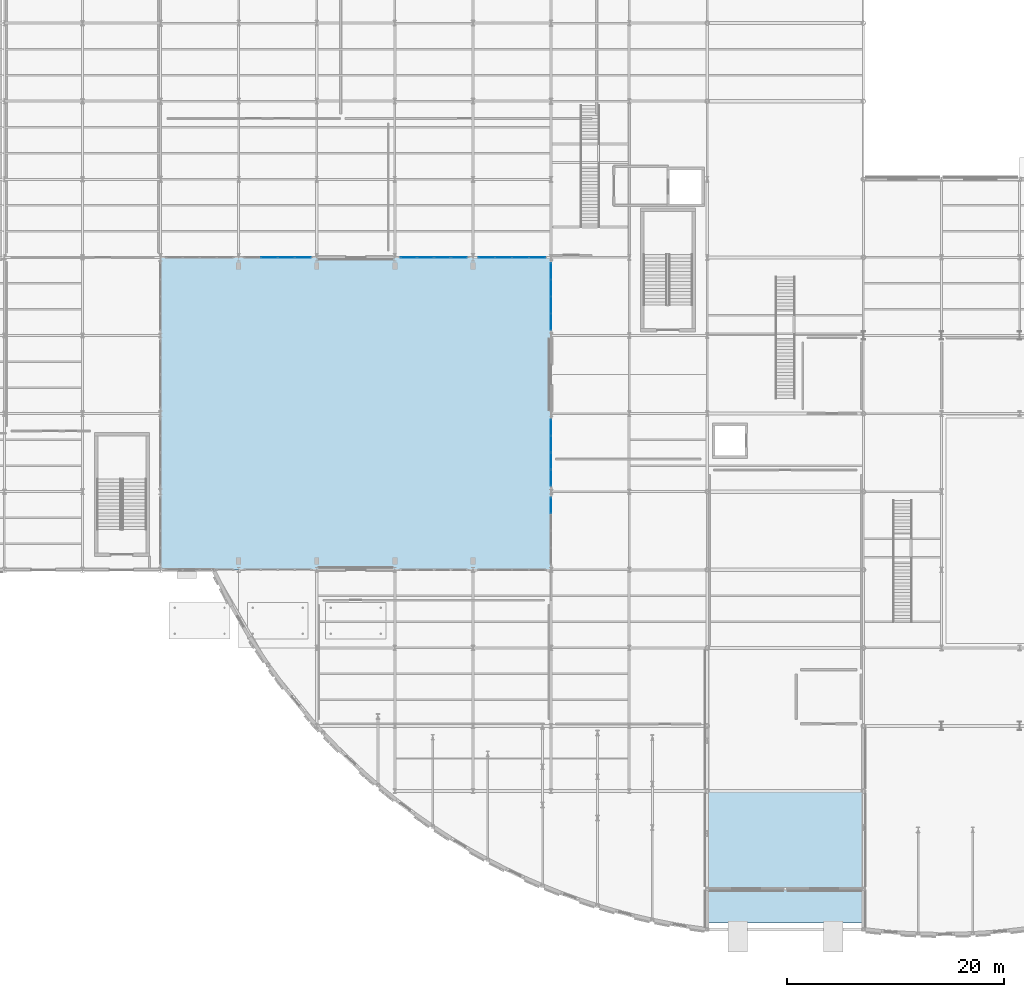
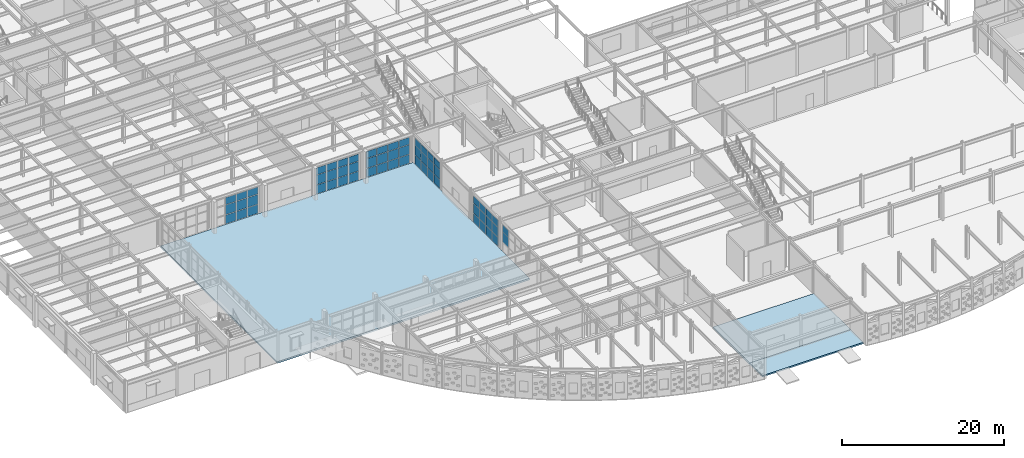
# One storey, part 51 of 83: 59 plates, 3 slabs, 6 elements without a shape of their own.
"""IFC4 building model written with IfcOpenShell, lengths in metres."""

import ifcopenshell
import ifcopenshell.guid

model = None  # the IFC model being written
_history = None  # IfcOwnerHistory: only IFC2X3 demands one
_inside = {}  # id of a spatial element -> (the spatial element, [elements in it])
_under = {}  # id of a project, library or spatial element -> (it, [spatial elements below it])
_declared = {}  # id of a project -> (the project, [libraries it declares])
_typed = {}  # id of a type object -> (the type object, [elements of that type])
_made_of = {}  # id of a material, layer set ... -> (it, [elements and type objects made of it])


def new_model(schema):
    """Start an empty IFC model of exactly this schema.

    Asked for "IFC4X3", IfcOpenShell would pick the latest addendum, in which some entities
    have other attributes; the version numbers below select the first issue.
    IFC2X3 requires an IfcOwnerHistory on every rooted entity: one is made here for all.
    """
    global model, _history
    if schema == "IFC4X3":
        model = ifcopenshell.file(schema_version=(4, 3, 0, 0))
    else:
        model = ifcopenshell.file(schema=schema)
    _inside.clear()
    _under.clear()
    _declared.clear()
    _typed.clear()
    _made_of.clear()
    _history = None
    if model.schema == "IFC2X3":
        org = make("IfcOrganization", Name="unknown")
        user = make(
            "IfcPersonAndOrganization",
            ThePerson=make("IfcPerson", FamilyName="unknown"),
            TheOrganization=org,
        )
        app = make(
            "IfcApplication",
            ApplicationDeveloper=org,
            Version="unknown",
            ApplicationFullName="unknown",
            ApplicationIdentifier="unknown",
        )
        _history = make(
            "IfcOwnerHistory",
            OwningUser=user,
            OwningApplication=app,
            ChangeAction="ADDED",
            CreationDate=0,
        )
    return model


def make(cls, **values):
    """One entity of the class cls with the attributes given. An attribute that is None is left unset."""
    return model.create_entity(
        cls, **{name: value for name, value in values.items() if value is not None}
    )


def rooted(cls, **values):
    """An entity with a GlobalId (a new one), such as an element, a storey or a relation."""
    return make(cls, GlobalId=ifcopenshell.guid.new(), OwnerHistory=_history, **values)


def si_unit(unit_type, name, prefix=None):
    """IfcSIUnit, for example si_unit("LENGTHUNIT", "METRE", prefix="MILLI")."""
    return make("IfcSIUnit", UnitType=unit_type, Prefix=prefix, Name=name)


def assignment(units):
    """IfcUnitAssignment: the units of a project."""
    return None if units is None else make("IfcUnitAssignment", Units=units)


def point(xyz):
    """IfcCartesianPoint."""
    return None if xyz is None else make("IfcCartesianPoint", Coordinates=xyz)


def direction(xyz):
    """IfcDirection."""
    return None if xyz is None else make("IfcDirection", DirectionRatios=xyz)


def frame(location, z_axis=None, x_axis=None):
    """IfcAxis2Placement3D, a coordinate frame: its origin and axes. An axis left out is left unset."""
    return make(
        "IfcAxis2Placement3D",
        Location=point(location),
        Axis=direction(z_axis),
        RefDirection=direction(x_axis),
    )


def frame_2d(location, x_axis=None):
    """IfcAxis2Placement2D, a coordinate frame in the plane: its origin and x axis."""
    return make(
        "IfcAxis2Placement2D", Location=point(location), RefDirection=direction(x_axis)
    )


def origin():
    """The frame at (0, 0, 0) with its axes left unset."""
    return frame((0.0, 0.0, 0.0))


def origin_2d():
    """The frame at (0, 0) in the plane with its x axis left unset."""
    return frame_2d((0.0, 0.0))


def place(relative_to, where):
    """IfcLocalPlacement: puts the frame where relative to a parent placement (None: the world)."""
    return make(
        "IfcLocalPlacement", PlacementRelTo=relative_to, RelativePlacement=where
    )


def context(
    kind, dimensions, precision=None, world=None, true_north=None, identifier=None
):
    """IfcGeometricRepresentationContext, for example the 3D "Model" context."""
    return make(
        "IfcGeometricRepresentationContext",
        ContextIdentifier=identifier,
        ContextType=kind,
        CoordinateSpaceDimension=dimensions,
        Precision=precision,
        WorldCoordinateSystem=world,
        TrueNorth=true_north,
    )


def subcontext(parent, identifier, kind, view, scale=None):
    """IfcGeometricRepresentationSubContext, for example "Body" below "Model"."""
    return make(
        "IfcGeometricRepresentationSubContext",
        ContextIdentifier=identifier,
        ContextType=kind,
        ParentContext=parent,
        TargetScale=scale,
        TargetView=view,
    )


def project(units=None, contexts=None):
    """IfcProject with its units and contexts."""
    return rooted(
        "IfcProject",
        Name="project",
        RepresentationContexts=contexts,
        UnitsInContext=assignment(units),
    )


def spatial(cls, under=None, at=None, **own):
    """A site, building, storey or space (cls), placed at a placement, below another one or the project."""
    s = rooted(cls, ObjectPlacement=at, **own)
    if under is not None:
        _under.setdefault(under.id(), (under, []))[1].append(s)
    return s


def polyline(points):
    """IfcPolyline through the points."""
    return make("IfcPolyline", Points=[point(p) for p in points])


def profile(cls, at=None, kind="AREA", **sizes):
    """A parametric profile (cls). Its sizes go by their IFC names, for example OverallWidth=200.0."""
    return make(cls, ProfileType=kind, Position=at, **sizes)


def rectangle(**sizes):
    """IfcRectangleProfileDef."""
    return profile("IfcRectangleProfileDef", **sizes)


def outline(outer, holes=None, kind="AREA"):
    """IfcArbitraryClosedProfileDef: a profile drawn as a closed curve; with holes, ...WithVoids."""
    if holes is None:
        return make("IfcArbitraryClosedProfileDef", ProfileType=kind, OuterCurve=outer)
    return make(
        "IfcArbitraryProfileDefWithVoids",
        ProfileType=kind,
        OuterCurve=outer,
        InnerCurves=holes,
    )


def extrude(swept, where, along, depth):
    """IfcExtrudedAreaSolid: the profile swept, set in the frame where, extruded along a direction by depth."""
    return make(
        "IfcExtrudedAreaSolid",
        SweptArea=swept,
        Position=where,
        ExtrudedDirection=direction(along),
        Depth=depth,
    )


def shape(context_of_items, identifier, shape_type, items):
    """IfcShapeRepresentation: the items that make up one representation, for example the "Body"."""
    return make(
        "IfcShapeRepresentation",
        ContextOfItems=context_of_items,
        RepresentationIdentifier=identifier,
        RepresentationType=shape_type,
        Items=items,
    )


def material(Name=None, Category=None):
    """IfcMaterial."""
    return make("IfcMaterial", Name=Name, Category=Category)


def layer(
    of_material, thickness, ventilated=None, Name=None, Category=None, Priority=None
):
    """IfcMaterialLayer: one layer of a wall or slab, of a material (None: an air gap)."""
    return make(
        "IfcMaterialLayer",
        Material=of_material,
        LayerThickness=thickness,
        IsVentilated=ventilated,
        Name=Name,
        Category=Category,
        Priority=Priority,
    )


def layer_set(layers, Name=None):
    """IfcMaterialLayerSet."""
    return make("IfcMaterialLayerSet", MaterialLayers=layers, LayerSetName=Name)


def made_of(thing, what):
    """Note that an element or type object is made of a material, layer set ...; save() writes the relation."""
    if what is not None:
        _made_of.setdefault(what.id(), (what, []))[1].append(thing)
    return thing


def type_object(cls, material=None, **own):
    """A type object (cls), such as IfcWallType, which elements share."""
    return made_of(rooted(cls, **own), material)


def element(
    cls,
    number,
    at=None,
    inside=None,
    cuts=None,
    type_object=None,
    material=None,
    context=None,
    identifier="Body",
    shape_type=None,
    held_by="IfcProductDefinitionShape",
    body=None,
    shapes=None,
    **own,
):
    """One element of the class cls, such as IfcWall. Its Tag is "e" and its number.

    at: its placement. inside: the storey or other place that contains it. cuts: it is an
    opening in that element (IfcRelVoidsElement). A single representation is given by context,
    identifier, shape_type and body (its items); several are given by shapes. held_by: the class
    of the entity that holds the representations. save() writes the other relations.
    """
    e = rooted(cls, Tag="e%d" % number, ObjectPlacement=at, **own)
    if body is not None:
        shapes = [shape(context, identifier, shape_type, body)]
    if shapes is not None:
        e.Representation = make(held_by, Representations=shapes)
    if inside is not None:
        _inside.setdefault(inside.id(), (inside, []))[1].append(e)
    if cuts is not None:
        rooted(
            "IfcRelVoidsElement", RelatingBuildingElement=cuts, RelatedOpeningElement=e
        )
    if type_object is not None:
        _typed.setdefault(type_object.id(), (type_object, []))[1].append(e)
    return made_of(e, material)


def aggregate(whole, parts):
    """IfcRelAggregates: a whole, such as a stair, and the parts it consists of."""
    return rooted("IfcRelAggregates", RelatingObject=whole, RelatedObjects=parts)


def save(model, path):
    """Write the relations noted so far, then the file.

    IfcRelAggregates (storeys below a building ...), IfcRelContainedInSpatialStructure (elements
    in a storey), IfcRelDefinesByType, IfcRelAssociatesMaterial and IfcRelDeclares: one each for
    every whole, place, type object, material and project.
    """
    for whole, parts in _under.values():
        aggregate(whole, parts)
    for where, things in _inside.values():
        rooted(
            "IfcRelContainedInSpatialStructure",
            RelatedElements=things,
            RelatingStructure=where,
        )
    for kind, things in _typed.values():
        rooted("IfcRelDefinesByType", RelatedObjects=things, RelatingType=kind)
    for what, things in _made_of.values():
        rooted("IfcRelAssociatesMaterial", RelatedObjects=things, RelatingMaterial=what)
    for by, libraries in _declared.values():
        rooted("IfcRelDeclares", RelatingContext=by, RelatedDefinitions=libraries)
    model.write(path)


model = new_model("IFC4")

# Units and contexts
model_context = context("Model", 3, precision=1e-05, world=origin(), true_north=direction((0.0, 1.0)))
body_context = subcontext(model_context, "Body", "Model", "MODEL_VIEW")
ifc_project = project(units=[si_unit("LENGTHUNIT", "METRE"), si_unit("AREAUNIT", "SQUARE_METRE"), si_unit("VOLUMEUNIT", "CUBIC_METRE"), si_unit("PLANEANGLEUNIT", "RADIAN"), si_unit("MASSUNIT", "GRAM", prefix="KILO")], contexts=[model_context])

# Site, building, storey
site_placement = place(None, origin())
site = spatial("IfcSite", under=ifc_project, at=site_placement, CompositionType="ELEMENT")
building_placement = place(site_placement, origin())
building = spatial("IfcBuilding", under=site, at=building_placement, Name="Solvadek Multi-Sports Hall", CompositionType="ELEMENT")
storey_placement = place(building_placement, origin())
storey = spatial("IfcBuildingStorey", under=building, at=storey_placement, Name="L00", CompositionType="ELEMENT", Elevation=0.0)

# Curtain wall, plates
ifc_material_1 = material(Name="Anodised aluminium", Category="aluminium")
ifc_layer_1 = layer(ifc_material_1, 0.159912109375, Name="Anodised aluminium")
ifc_layer_set_1 = layer_set([ifc_layer_1], Name="Anodised aluminium")
curtain_wall_type_1 = type_object("IfcCurtainWallType", Name="ENV-CW-624X410", PredefinedType="USERDEFINED", material=ifc_layer_set_1)
curtain_wall_1_placement = place(storey_placement, origin())
curtain_wall_1 = element("IfcCurtainWall", 1, at=curtain_wall_1_placement, inside=storey, type_object=curtain_wall_type_1, Name="L00 Perimeter Bay Curtain Wall #161", ObjectType="CURTAIN WALL", PredefinedType="USERDEFINED")
ifc_material_2 = material(Name="Tempered laminated low-E glass", Category="glass")
ifc_layer_2 = layer(ifc_material_2, 0.031982421875, Name="Tempered laminated low-E glass")
ifc_layer_set_2 = layer_set([ifc_layer_2], Name="Tempered laminated low-E glass")
plate_type_1 = type_object("IfcPlateType", Name="ENV-CWP-03", PredefinedType="CURTAIN_PANEL", material=ifc_layer_set_2)
plate_1_placement = place(storey_placement, frame((31.6201171875, 49.199951171875, 0.06494140625), z_axis=(0.0, 0.0, 1.0), x_axis=(1.0, 0.0, 0.0)))
plate_1 = element("IfcPlate", 2, at=plate_1_placement, type_object=plate_type_1, Name="CW-39 panel 2.1", PredefinedType="CURTAIN_PANEL", context=body_context, shape_type="SweptSolid", body=[
    extrude(rectangle(XDim=1.4951171875, YDim=0.031982421875, at=origin_2d()), origin(), (0.0, 0.0, 1.0), 1.33740234375),
])
plate_2_placement = place(storey_placement, frame((31.6201171875, 49.199951171875, 1.4677734375), z_axis=(0.0, 0.0, 1.0), x_axis=(1.0, 0.0, 0.0)))
plate_2 = element("IfcPlate", 3, at=plate_2_placement, type_object=plate_type_1, Name="CW-39 panel 2.2", PredefinedType="CURTAIN_PANEL", context=body_context, shape_type="SweptSolid", body=[
    extrude(rectangle(XDim=1.4951171875, YDim=0.031982421875, at=origin_2d()), origin(), (0.0, 0.0, 1.0), 1.451904296875),
])
plate_3_placement = place(storey_placement, frame((31.6201171875, 49.199951171875, 2.984375), z_axis=(0.0, 0.0, 1.0), x_axis=(1.0, 0.0, 0.0)))
plate_3 = element("IfcPlate", 4, at=plate_3_placement, type_object=plate_type_1, Name="CW-39 panel 2.3", PredefinedType="CURTAIN_PANEL", context=body_context, shape_type="SweptSolid", body=[
    extrude(rectangle(XDim=1.4951171875, YDim=0.031982421875, at=origin_2d()), origin(), (0.0, 0.0, 1.0), 1.050537109375),
])
plate_4_placement = place(storey_placement, frame((33.179931640625, 49.199951171875, 0.06494140625), z_axis=(0.0, 0.0, 1.0), x_axis=(1.0, 0.0, 0.0)))
plate_4 = element("IfcPlate", 5, at=plate_4_placement, type_object=plate_type_1, Name="CW-39 panel 3.1", PredefinedType="CURTAIN_PANEL", context=body_context, shape_type="SweptSolid", body=[
    extrude(rectangle(XDim=1.4951171875, YDim=0.031982421875, at=origin_2d()), origin(), (0.0, 0.0, 1.0), 1.33740234375),
])
plate_5_placement = place(storey_placement, frame((33.179931640625, 49.199951171875, 1.4677734375), z_axis=(0.0, 0.0, 1.0), x_axis=(1.0, 0.0, 0.0)))
plate_5 = element("IfcPlate", 6, at=plate_5_placement, type_object=plate_type_1, Name="CW-39 panel 3.2", PredefinedType="CURTAIN_PANEL", context=body_context, shape_type="SweptSolid", body=[
    extrude(rectangle(XDim=1.4951171875, YDim=0.031982421875, at=origin_2d()), origin(), (0.0, 0.0, 1.0), 1.451904296875),
])
plate_6_placement = place(storey_placement, frame((33.179931640625, 49.199951171875, 2.984375), z_axis=(0.0, 0.0, 1.0), x_axis=(1.0, 0.0, 0.0)))
plate_6 = element("IfcPlate", 7, at=plate_6_placement, type_object=plate_type_1, Name="CW-39 panel 3.3", PredefinedType="CURTAIN_PANEL", context=body_context, shape_type="SweptSolid", body=[
    extrude(rectangle(XDim=1.4951171875, YDim=0.031982421875, at=origin_2d()), origin(), (0.0, 0.0, 1.0), 1.050537109375),
])
plate_7_placement = place(storey_placement, frame((34.7236328125, 49.199951171875, 0.06494140625), z_axis=(0.0, 0.0, 1.0), x_axis=(1.0, 0.0, 0.0)))
plate_7 = element("IfcPlate", 8, at=plate_7_placement, type_object=plate_type_1, Name="CW-39 panel 4.1", PredefinedType="CURTAIN_PANEL", context=body_context, shape_type="SweptSolid", body=[
    extrude(rectangle(XDim=1.46240234375, YDim=0.031982421875, at=origin_2d()), origin(), (0.0, 0.0, 1.0), 1.33740234375),
])
plate_8_placement = place(storey_placement, frame((34.7236328125, 49.199951171875, 1.4677734375), z_axis=(0.0, 0.0, 1.0), x_axis=(1.0, 0.0, 0.0)))
plate_8 = element("IfcPlate", 9, at=plate_8_placement, type_object=plate_type_1, Name="CW-39 panel 4.2", PredefinedType="CURTAIN_PANEL", context=body_context, shape_type="SweptSolid", body=[
    extrude(rectangle(XDim=1.46240234375, YDim=0.031982421875, at=origin_2d()), origin(), (0.0, 0.0, 1.0), 1.451904296875),
])
plate_9_placement = place(storey_placement, frame((34.7236328125, 49.199951171875, 2.984375), z_axis=(0.0, 0.0, 1.0), x_axis=(1.0, 0.0, 0.0)))
plate_9 = element("IfcPlate", 10, at=plate_9_placement, type_object=plate_type_1, Name="CW-39 panel 4.3", PredefinedType="CURTAIN_PANEL", context=body_context, shape_type="SweptSolid", body=[
    extrude(rectangle(XDim=1.46240234375, YDim=0.031982421875, at=origin_2d()), origin(), (0.0, 0.0, 1.0), 1.050537109375),
])
aggregate(curtain_wall_1, [plate_1, plate_2, plate_3, plate_4, plate_5, plate_6, plate_7, plate_8, plate_9])

curtain_wall_2_placement = place(storey_placement, origin())
curtain_wall_2 = element("IfcCurtainWall", 11, at=curtain_wall_2_placement, inside=storey, type_object=curtain_wall_type_1, Name="L00 Perimeter Bay Curtain Wall #183", ObjectType="CURTAIN WALL", PredefinedType="USERDEFINED")
plate_10_placement = place(storey_placement, frame((57.60009765625, 26.32373046875, 1.4677734375), z_axis=(0.0, 0.0, 1.0), x_axis=(0.0, 1.0, 0.0)))
plate_10 = element("IfcPlate", 12, at=plate_10_placement, type_object=plate_type_1, Name="CW-39 panel 4.2", PredefinedType="CURTAIN_PANEL", context=body_context, shape_type="SweptSolid", body=[
    extrude(rectangle(XDim=1.46240234375, YDim=0.031982421875, at=origin_2d()), origin(), (0.0, 0.0, 1.0), 1.451904296875),
])
plate_11_placement = place(storey_placement, frame((57.60009765625, 26.32373046875, 2.984375), z_axis=(0.0, 0.0, 1.0), x_axis=(0.0, 1.0, 0.0)))
plate_11 = element("IfcPlate", 13, at=plate_11_placement, type_object=plate_type_1, Name="CW-39 panel 4.3", PredefinedType="CURTAIN_PANEL", context=body_context, shape_type="SweptSolid", body=[
    extrude(rectangle(XDim=1.46240234375, YDim=0.031982421875, at=origin_2d()), origin(), (0.0, 0.0, 1.0), 1.050537109375),
])
aggregate(curtain_wall_2, [plate_10, plate_11])

ifc_layer_3 = layer(ifc_material_1, 0.159912109375, Name="Anodised aluminium")
ifc_layer_set_3 = layer_set([ifc_layer_3], Name="Anodised aluminium")
curtain_wall_type_2 = type_object("IfcCurtainWallType", Name="ENV-CW-624X408", PredefinedType="USERDEFINED", material=ifc_layer_set_3)
curtain_wall_3_placement = place(storey_placement, origin())
curtain_wall_3 = element("IfcCurtainWall", 14, at=curtain_wall_3_placement, inside=storey, type_object=curtain_wall_type_2, Name="L00 Perimeter Bay Curtain Wall #189", ObjectType="CURTAIN WALL", PredefinedType="USERDEFINED")
ifc_layer_4 = layer(ifc_material_2, 0.035888671875, Name="Tempered laminated low-E glass")
ifc_layer_set_4 = layer_set([ifc_layer_4], Name="Tempered laminated low-E glass")
plate_type_2 = type_object("IfcPlateType", Name="ENV-CWP-04", PredefinedType="CURTAIN_PANEL", material=ifc_layer_set_4)
plate_12_placement = place(storey_placement, frame((57.60009765625, 28.876220703125, 0.06494140625), z_axis=(0.0, 0.0, 1.0), x_axis=(0.0, 1.0, 0.0)))
plate_12 = element("IfcPlate", 15, at=plate_12_placement, type_object=plate_type_2, Name="CW-40 panel 1.1", PredefinedType="CURTAIN_PANEL", context=body_context, shape_type="SweptSolid", body=[
    extrude(rectangle(XDim=1.46240234375, YDim=0.035888671875, at=origin_2d()), origin(), (0.0, 0.0, 1.0), 1.32861328125),
])
plate_13_placement = place(storey_placement, frame((57.60009765625, 28.876220703125, 1.45849609375), z_axis=(0.0, 0.0, 1.0), x_axis=(0.0, 1.0, 0.0)))
plate_13 = element("IfcPlate", 16, at=plate_13_placement, type_object=plate_type_2, Name="CW-40 panel 1.2", PredefinedType="CURTAIN_PANEL", context=body_context, shape_type="SweptSolid", body=[
    extrude(rectangle(XDim=1.46240234375, YDim=0.035888671875, at=origin_2d()), origin(), (0.0, 0.0, 1.0), 1.443115234375),
])
plate_14_placement = place(storey_placement, frame((57.60009765625, 28.876220703125, 2.966552734375), z_axis=(0.0, 0.0, 1.0), x_axis=(0.0, 1.0, 0.0)))
plate_14 = element("IfcPlate", 17, at=plate_14_placement, type_object=plate_type_2, Name="CW-40 panel 1.3", PredefinedType="CURTAIN_PANEL", context=body_context, shape_type="SweptSolid", body=[
    extrude(rectangle(XDim=1.46240234375, YDim=0.035888671875, at=origin_2d()), origin(), (0.0, 0.0, 1.0), 1.04345703125),
])
plate_15_placement = place(storey_placement, frame((57.60009765625, 30.419921875, 0.06494140625), z_axis=(0.0, 0.0, 1.0), x_axis=(0.0, 1.0, 0.0)))
plate_15 = element("IfcPlate", 18, at=plate_15_placement, type_object=plate_type_2, Name="CW-40 panel 2.1", PredefinedType="CURTAIN_PANEL", context=body_context, shape_type="SweptSolid", body=[
    extrude(rectangle(XDim=1.4951171875, YDim=0.035888671875, at=origin_2d()), origin(), (0.0, 0.0, 1.0), 1.32861328125),
])
plate_16_placement = place(storey_placement, frame((57.60009765625, 30.419921875, 1.45849609375), z_axis=(0.0, 0.0, 1.0), x_axis=(0.0, 1.0, 0.0)))
plate_16 = element("IfcPlate", 19, at=plate_16_placement, type_object=plate_type_2, Name="CW-40 panel 2.2", PredefinedType="CURTAIN_PANEL", context=body_context, shape_type="SweptSolid", body=[
    extrude(rectangle(XDim=1.4951171875, YDim=0.035888671875, at=origin_2d()), origin(), (0.0, 0.0, 1.0), 1.443115234375),
])
plate_17_placement = place(storey_placement, frame((57.60009765625, 30.419921875, 2.966552734375), z_axis=(0.0, 0.0, 1.0), x_axis=(0.0, 1.0, 0.0)))
plate_17 = element("IfcPlate", 20, at=plate_17_placement, type_object=plate_type_2, Name="CW-40 panel 2.3", PredefinedType="CURTAIN_PANEL", context=body_context, shape_type="SweptSolid", body=[
    extrude(rectangle(XDim=1.4951171875, YDim=0.035888671875, at=origin_2d()), origin(), (0.0, 0.0, 1.0), 1.04345703125),
])
plate_18_placement = place(storey_placement, frame((57.60009765625, 31.97998046875, 0.06494140625), z_axis=(0.0, 0.0, 1.0), x_axis=(0.0, 1.0, 0.0)))
plate_18 = element("IfcPlate", 21, at=plate_18_placement, type_object=plate_type_2, Name="CW-40 panel 3.1", PredefinedType="CURTAIN_PANEL", context=body_context, shape_type="SweptSolid", body=[
    extrude(rectangle(XDim=1.4951171875, YDim=0.035888671875, at=origin_2d()), origin(), (0.0, 0.0, 1.0), 1.32861328125),
])
plate_19_placement = place(storey_placement, frame((57.60009765625, 31.97998046875, 1.45849609375), z_axis=(0.0, 0.0, 1.0), x_axis=(0.0, 1.0, 0.0)))
plate_19 = element("IfcPlate", 22, at=plate_19_placement, type_object=plate_type_2, Name="CW-40 panel 3.2", PredefinedType="CURTAIN_PANEL", context=body_context, shape_type="SweptSolid", body=[
    extrude(rectangle(XDim=1.4951171875, YDim=0.035888671875, at=origin_2d()), origin(), (0.0, 0.0, 1.0), 1.443115234375),
])
plate_20_placement = place(storey_placement, frame((57.60009765625, 31.97998046875, 2.966552734375), z_axis=(0.0, 0.0, 1.0), x_axis=(0.0, 1.0, 0.0)))
plate_20 = element("IfcPlate", 23, at=plate_20_placement, type_object=plate_type_2, Name="CW-40 panel 3.3", PredefinedType="CURTAIN_PANEL", context=body_context, shape_type="SweptSolid", body=[
    extrude(rectangle(XDim=1.4951171875, YDim=0.035888671875, at=origin_2d()), origin(), (0.0, 0.0, 1.0), 1.04345703125),
])
plate_21_placement = place(storey_placement, frame((57.60009765625, 33.523681640625, 0.06494140625), z_axis=(0.0, 0.0, 1.0), x_axis=(0.0, 1.0, 0.0)))
plate_21 = element("IfcPlate", 24, at=plate_21_placement, type_object=plate_type_2, Name="CW-40 panel 4.1", PredefinedType="CURTAIN_PANEL", context=body_context, shape_type="SweptSolid", body=[
    extrude(rectangle(XDim=1.46240234375, YDim=0.035888671875, at=origin_2d()), origin(), (0.0, 0.0, 1.0), 1.32861328125),
])
plate_22_placement = place(storey_placement, frame((57.60009765625, 33.523681640625, 1.45849609375), z_axis=(0.0, 0.0, 1.0), x_axis=(0.0, 1.0, 0.0)))
plate_22 = element("IfcPlate", 25, at=plate_22_placement, type_object=plate_type_2, Name="CW-40 panel 4.2", PredefinedType="CURTAIN_PANEL", context=body_context, shape_type="SweptSolid", body=[
    extrude(rectangle(XDim=1.46240234375, YDim=0.035888671875, at=origin_2d()), origin(), (0.0, 0.0, 1.0), 1.443115234375),
])
plate_23_placement = place(storey_placement, frame((57.60009765625, 33.523681640625, 2.966552734375), z_axis=(0.0, 0.0, 1.0), x_axis=(0.0, 1.0, 0.0)))
plate_23 = element("IfcPlate", 26, at=plate_23_placement, type_object=plate_type_2, Name="CW-40 panel 4.3", PredefinedType="CURTAIN_PANEL", context=body_context, shape_type="SweptSolid", body=[
    extrude(rectangle(XDim=1.46240234375, YDim=0.035888671875, at=origin_2d()), origin(), (0.0, 0.0, 1.0), 1.04345703125),
])
aggregate(curtain_wall_3, [plate_12, plate_13, plate_14, plate_15, plate_16, plate_17, plate_18, plate_19, plate_20, plate_21, plate_22, plate_23])

ifc_layer_5 = layer(ifc_material_1, 0.159912109375, Name="Anodised aluminium")
ifc_layer_set_5 = layer_set([ifc_layer_5], Name="Anodised aluminium")
curtain_wall_type_3 = type_object("IfcCurtainWallType", Name="ENV-CW-624X405", PredefinedType="USERDEFINED", material=ifc_layer_set_5)
curtain_wall_4_placement = place(storey_placement, origin())
curtain_wall_4 = element("IfcCurtainWall", 27, at=curtain_wall_4_placement, inside=storey, type_object=curtain_wall_type_3, Name="L00 Perimeter Bay Curtain Wall #171", ObjectType="CURTAIN WALL", PredefinedType="USERDEFINED")
ifc_layer_6 = layer(ifc_material_2, 0.0419921875, Name="Tempered laminated low-E glass")
ifc_layer_set_6 = layer_set([ifc_layer_6], Name="Tempered laminated low-E glass")
plate_type_3 = type_object("IfcPlateType", Name="ENV-CWP-05", PredefinedType="CURTAIN_PANEL", material=ifc_layer_set_6)
plate_24_placement = place(storey_placement, frame((44.4775390625, 49.199951171875, 0.06005859375), z_axis=(0.0, 0.0, 1.0), x_axis=(1.0, 0.0, 0.0)))
plate_24 = element("IfcPlate", 28, at=plate_24_placement, type_object=plate_type_3, Name="CW-52 panel 1.1", PredefinedType="CURTAIN_PANEL", context=body_context, shape_type="SweptSolid", body=[
    extrude(rectangle(XDim=1.455078125, YDim=0.0419921875, at=origin_2d()), origin(), (0.0, 0.0, 1.0), 1.326904296875),
])
plate_25_placement = place(storey_placement, frame((44.4775390625, 49.199951171875, 1.447021484375), z_axis=(0.0, 0.0, 1.0), x_axis=(1.0, 0.0, 0.0)))
plate_25 = element("IfcPlate", 29, at=plate_25_placement, type_object=plate_type_3, Name="CW-52 panel 1.2", PredefinedType="CURTAIN_PANEL", context=body_context, shape_type="SweptSolid", body=[
    extrude(rectangle(XDim=1.455078125, YDim=0.0419921875, at=origin_2d()), origin(), (0.0, 0.0, 1.0), 1.43896484375),
])
plate_26_placement = place(storey_placement, frame((44.4775390625, 49.199951171875, 2.946044921875), z_axis=(0.0, 0.0, 1.0), x_axis=(1.0, 0.0, 0.0)))
plate_26 = element("IfcPlate", 30, at=plate_26_placement, type_object=plate_type_3, Name="CW-52 panel 1.3", PredefinedType="CURTAIN_PANEL", context=body_context, shape_type="SweptSolid", body=[
    extrude(rectangle(XDim=1.455078125, YDim=0.0419921875, at=origin_2d()), origin(), (0.0, 0.0, 1.0), 1.0439453125),
])
plate_27_placement = place(storey_placement, frame((46.02001953125, 49.199951171875, 0.06005859375), z_axis=(0.0, 0.0, 1.0), x_axis=(1.0, 0.0, 0.0)))
plate_27 = element("IfcPlate", 31, at=plate_27_placement, type_object=plate_type_3, Name="CW-52 panel 2.1", PredefinedType="CURTAIN_PANEL", context=body_context, shape_type="SweptSolid", body=[
    extrude(rectangle(XDim=1.489990234375, YDim=0.0419921875, at=origin_2d()), origin(), (0.0, 0.0, 1.0), 1.326904296875),
])
plate_28_placement = place(storey_placement, frame((46.02001953125, 49.199951171875, 1.447021484375), z_axis=(0.0, 0.0, 1.0), x_axis=(1.0, 0.0, 0.0)))
plate_28 = element("IfcPlate", 32, at=plate_28_placement, type_object=plate_type_3, Name="CW-52 panel 2.2", PredefinedType="CURTAIN_PANEL", context=body_context, shape_type="SweptSolid", body=[
    extrude(rectangle(XDim=1.489990234375, YDim=0.0419921875, at=origin_2d()), origin(), (0.0, 0.0, 1.0), 1.43896484375),
])
plate_29_placement = place(storey_placement, frame((46.02001953125, 49.199951171875, 2.946044921875), z_axis=(0.0, 0.0, 1.0), x_axis=(1.0, 0.0, 0.0)))
plate_29 = element("IfcPlate", 33, at=plate_29_placement, type_object=plate_type_3, Name="CW-52 panel 2.3", PredefinedType="CURTAIN_PANEL", context=body_context, shape_type="SweptSolid", body=[
    extrude(rectangle(XDim=1.489990234375, YDim=0.0419921875, at=origin_2d()), origin(), (0.0, 0.0, 1.0), 1.0439453125),
])
plate_30_placement = place(storey_placement, frame((47.580078125, 49.199951171875, 0.06005859375), z_axis=(0.0, 0.0, 1.0), x_axis=(1.0, 0.0, 0.0)))
plate_30 = element("IfcPlate", 34, at=plate_30_placement, type_object=plate_type_3, Name="CW-52 panel 3.1", PredefinedType="CURTAIN_PANEL", context=body_context, shape_type="SweptSolid", body=[
    extrude(rectangle(XDim=1.489990234375, YDim=0.0419921875, at=origin_2d()), origin(), (0.0, 0.0, 1.0), 1.326904296875),
])
plate_31_placement = place(storey_placement, frame((47.580078125, 49.199951171875, 1.447021484375), z_axis=(0.0, 0.0, 1.0), x_axis=(1.0, 0.0, 0.0)))
plate_31 = element("IfcPlate", 35, at=plate_31_placement, type_object=plate_type_3, Name="CW-52 panel 3.2", PredefinedType="CURTAIN_PANEL", context=body_context, shape_type="SweptSolid", body=[
    extrude(rectangle(XDim=1.489990234375, YDim=0.0419921875, at=origin_2d()), origin(), (0.0, 0.0, 1.0), 1.43896484375),
])
plate_32_placement = place(storey_placement, frame((47.580078125, 49.199951171875, 2.946044921875), z_axis=(0.0, 0.0, 1.0), x_axis=(1.0, 0.0, 0.0)))
plate_32 = element("IfcPlate", 36, at=plate_32_placement, type_object=plate_type_3, Name="CW-52 panel 3.3", PredefinedType="CURTAIN_PANEL", context=body_context, shape_type="SweptSolid", body=[
    extrude(rectangle(XDim=1.489990234375, YDim=0.0419921875, at=origin_2d()), origin(), (0.0, 0.0, 1.0), 1.0439453125),
])
plate_33_placement = place(storey_placement, frame((49.12255859375, 49.199951171875, 0.06005859375), z_axis=(0.0, 0.0, 1.0), x_axis=(1.0, 0.0, 0.0)))
plate_33 = element("IfcPlate", 37, at=plate_33_placement, type_object=plate_type_3, Name="CW-52 panel 4.1", PredefinedType="CURTAIN_PANEL", context=body_context, shape_type="SweptSolid", body=[
    extrude(rectangle(XDim=1.455078125, YDim=0.0419921875, at=origin_2d()), origin(), (0.0, 0.0, 1.0), 1.326904296875),
])
plate_34_placement = place(storey_placement, frame((49.12255859375, 49.199951171875, 1.447021484375), z_axis=(0.0, 0.0, 1.0), x_axis=(1.0, 0.0, 0.0)))
plate_34 = element("IfcPlate", 38, at=plate_34_placement, type_object=plate_type_3, Name="CW-52 panel 4.2", PredefinedType="CURTAIN_PANEL", context=body_context, shape_type="SweptSolid", body=[
    extrude(rectangle(XDim=1.455078125, YDim=0.0419921875, at=origin_2d()), origin(), (0.0, 0.0, 1.0), 1.43896484375),
])
plate_35_placement = place(storey_placement, frame((49.12255859375, 49.199951171875, 2.946044921875), z_axis=(0.0, 0.0, 1.0), x_axis=(1.0, 0.0, 0.0)))
plate_35 = element("IfcPlate", 39, at=plate_35_placement, type_object=plate_type_3, Name="CW-52 panel 4.3", PredefinedType="CURTAIN_PANEL", context=body_context, shape_type="SweptSolid", body=[
    extrude(rectangle(XDim=1.455078125, YDim=0.0419921875, at=origin_2d()), origin(), (0.0, 0.0, 1.0), 1.0439453125),
])
aggregate(curtain_wall_4, [plate_24, plate_25, plate_26, plate_27, plate_28, plate_29, plate_30, plate_31, plate_32, plate_33, plate_34, plate_35])

ifc_layer_7 = layer(ifc_material_1, 0.159912109375, Name="Anodised aluminium")
ifc_layer_set_7 = layer_set([ifc_layer_7], Name="Anodised aluminium")
curtain_wall_type_4 = type_object("IfcCurtainWallType", Name="ENV-CW-624X403", PredefinedType="USERDEFINED", material=ifc_layer_set_7)
curtain_wall_5_placement = place(storey_placement, origin())
curtain_wall_5 = element("IfcCurtainWall", 40, at=curtain_wall_5_placement, inside=storey, type_object=curtain_wall_type_4, Name="L00 Perimeter Bay Curtain Wall #177", ObjectType="CURTAIN WALL", PredefinedType="USERDEFINED")
ifc_layer_8 = layer(ifc_material_2, 0.048095703125, Name="Tempered laminated low-E glass")
ifc_layer_set_8 = layer_set([ifc_layer_8], Name="Tempered laminated low-E glass")
plate_type_4 = type_object("IfcPlateType", Name="ENV-CWP-06", PredefinedType="CURTAIN_PANEL", material=ifc_layer_set_8)
plate_36_placement = place(storey_placement, frame((51.675048828125, 49.199951171875, 0.06005859375), z_axis=(0.0, 0.0, 1.0), x_axis=(1.0, 0.0, 0.0)))
plate_36 = element("IfcPlate", 41, at=plate_36_placement, type_object=plate_type_4, Name="CW-43 panel 1.1", PredefinedType="CURTAIN_PANEL", context=body_context, shape_type="SweptSolid", body=[
    extrude(rectangle(XDim=1.469970703125, YDim=0.048095703125, at=origin_2d()), origin(), (0.0, 0.0, 1.0), 1.319091796875),
])
plate_37_placement = place(storey_placement, frame((51.675048828125, 49.199951171875, 1.43896484375), z_axis=(0.0, 0.0, 1.0), x_axis=(1.0, 0.0, 0.0)))
plate_37 = element("IfcPlate", 42, at=plate_37_placement, type_object=plate_type_4, Name="CW-43 panel 1.2", PredefinedType="CURTAIN_PANEL", context=body_context, shape_type="SweptSolid", body=[
    extrude(rectangle(XDim=1.469970703125, YDim=0.048095703125, at=origin_2d()), origin(), (0.0, 0.0, 1.0), 1.428955078125),
])
plate_38_placement = place(storey_placement, frame((51.675048828125, 49.199951171875, 2.927978515625), z_axis=(0.0, 0.0, 1.0), x_axis=(1.0, 0.0, 0.0)))
plate_38 = element("IfcPlate", 43, at=plate_38_placement, type_object=plate_type_4, Name="CW-43 panel 1.3", PredefinedType="CURTAIN_PANEL", context=body_context, shape_type="SweptSolid", body=[
    extrude(rectangle(XDim=1.469970703125, YDim=0.048095703125, at=origin_2d()), origin(), (0.0, 0.0, 1.0), 1.037109375),
])
plate_39_placement = place(storey_placement, frame((53.219970703125, 49.199951171875, 0.06005859375), z_axis=(0.0, 0.0, 1.0), x_axis=(1.0, 0.0, 0.0)))
plate_39 = element("IfcPlate", 44, at=plate_39_placement, type_object=plate_type_4, Name="CW-43 panel 2.1", PredefinedType="CURTAIN_PANEL", context=body_context, shape_type="SweptSolid", body=[
    extrude(rectangle(XDim=1.5, YDim=0.048095703125, at=origin_2d()), origin(), (0.0, 0.0, 1.0), 1.319091796875),
])
plate_40_placement = place(storey_placement, frame((53.219970703125, 49.199951171875, 1.43896484375), z_axis=(0.0, 0.0, 1.0), x_axis=(1.0, 0.0, 0.0)))
plate_40 = element("IfcPlate", 45, at=plate_40_placement, type_object=plate_type_4, Name="CW-43 panel 2.2", PredefinedType="CURTAIN_PANEL", context=body_context, shape_type="SweptSolid", body=[
    extrude(rectangle(XDim=1.5, YDim=0.048095703125, at=origin_2d()), origin(), (0.0, 0.0, 1.0), 1.428955078125),
])
plate_41_placement = place(storey_placement, frame((53.219970703125, 49.199951171875, 2.927978515625), z_axis=(0.0, 0.0, 1.0), x_axis=(1.0, 0.0, 0.0)))
plate_41 = element("IfcPlate", 46, at=plate_41_placement, type_object=plate_type_4, Name="CW-43 panel 2.3", PredefinedType="CURTAIN_PANEL", context=body_context, shape_type="SweptSolid", body=[
    extrude(rectangle(XDim=1.5, YDim=0.048095703125, at=origin_2d()), origin(), (0.0, 0.0, 1.0), 1.037109375),
])
plate_42_placement = place(storey_placement, frame((54.780029296875, 49.199951171875, 0.06005859375), z_axis=(0.0, 0.0, 1.0), x_axis=(1.0, 0.0, 0.0)))
plate_42 = element("IfcPlate", 47, at=plate_42_placement, type_object=plate_type_4, Name="CW-43 panel 3.1", PredefinedType="CURTAIN_PANEL", context=body_context, shape_type="SweptSolid", body=[
    extrude(rectangle(XDim=1.5, YDim=0.048095703125, at=origin_2d()), origin(), (0.0, 0.0, 1.0), 1.319091796875),
])
plate_43_placement = place(storey_placement, frame((54.780029296875, 49.199951171875, 1.43896484375), z_axis=(0.0, 0.0, 1.0), x_axis=(1.0, 0.0, 0.0)))
plate_43 = element("IfcPlate", 48, at=plate_43_placement, type_object=plate_type_4, Name="CW-43 panel 3.2", PredefinedType="CURTAIN_PANEL", context=body_context, shape_type="SweptSolid", body=[
    extrude(rectangle(XDim=1.5, YDim=0.048095703125, at=origin_2d()), origin(), (0.0, 0.0, 1.0), 1.428955078125),
])
plate_44_placement = place(storey_placement, frame((54.780029296875, 49.199951171875, 2.927978515625), z_axis=(0.0, 0.0, 1.0), x_axis=(1.0, 0.0, 0.0)))
plate_44 = element("IfcPlate", 49, at=plate_44_placement, type_object=plate_type_4, Name="CW-43 panel 3.3", PredefinedType="CURTAIN_PANEL", context=body_context, shape_type="SweptSolid", body=[
    extrude(rectangle(XDim=1.5, YDim=0.048095703125, at=origin_2d()), origin(), (0.0, 0.0, 1.0), 1.037109375),
])
plate_45_placement = place(storey_placement, frame((56.324951171875, 49.199951171875, 0.06005859375), z_axis=(0.0, 0.0, 1.0), x_axis=(1.0, 0.0, 0.0)))
plate_45 = element("IfcPlate", 50, at=plate_45_placement, type_object=plate_type_4, Name="CW-43 panel 4.1", PredefinedType="CURTAIN_PANEL", context=body_context, shape_type="SweptSolid", body=[
    extrude(rectangle(XDim=1.469970703125, YDim=0.048095703125, at=origin_2d()), origin(), (0.0, 0.0, 1.0), 1.319091796875),
])
plate_46_placement = place(storey_placement, frame((56.324951171875, 49.199951171875, 1.43896484375), z_axis=(0.0, 0.0, 1.0), x_axis=(1.0, 0.0, 0.0)))
plate_46 = element("IfcPlate", 51, at=plate_46_placement, type_object=plate_type_4, Name="CW-43 panel 4.2", PredefinedType="CURTAIN_PANEL", context=body_context, shape_type="SweptSolid", body=[
    extrude(rectangle(XDim=1.469970703125, YDim=0.048095703125, at=origin_2d()), origin(), (0.0, 0.0, 1.0), 1.428955078125),
])
plate_47_placement = place(storey_placement, frame((56.324951171875, 49.199951171875, 2.927978515625), z_axis=(0.0, 0.0, 1.0), x_axis=(1.0, 0.0, 0.0)))
plate_47 = element("IfcPlate", 52, at=plate_47_placement, type_object=plate_type_4, Name="CW-43 panel 4.3", PredefinedType="CURTAIN_PANEL", context=body_context, shape_type="SweptSolid", body=[
    extrude(rectangle(XDim=1.469970703125, YDim=0.048095703125, at=origin_2d()), origin(), (0.0, 0.0, 1.0), 1.037109375),
])
aggregate(curtain_wall_5, [plate_36, plate_37, plate_38, plate_39, plate_40, plate_41, plate_42, plate_43, plate_44, plate_45, plate_46, plate_47])

curtain_wall_6_placement = place(storey_placement, origin())
curtain_wall_6 = element("IfcCurtainWall", 53, at=curtain_wall_6_placement, inside=storey, type_object=curtain_wall_type_4, Name="L00 Perimeter Bay Curtain Wall #200", ObjectType="CURTAIN WALL", PredefinedType="USERDEFINED")
plate_48_placement = place(storey_placement, frame((57.60009765625, 43.27490234375, 0.06005859375), z_axis=(0.0, 0.0, 1.0), x_axis=(0.0, 1.0, 0.0)))
plate_48 = element("IfcPlate", 54, at=plate_48_placement, type_object=plate_type_4, Name="CW-43 panel 1.1", PredefinedType="CURTAIN_PANEL", context=body_context, shape_type="SweptSolid", body=[
    extrude(rectangle(XDim=1.469970703125, YDim=0.048095703125, at=origin_2d()), origin(), (0.0, 0.0, 1.0), 1.319091796875),
])
plate_49_placement = place(storey_placement, frame((57.60009765625, 43.27490234375, 1.43896484375), z_axis=(0.0, 0.0, 1.0), x_axis=(0.0, 1.0, 0.0)))
plate_49 = element("IfcPlate", 55, at=plate_49_placement, type_object=plate_type_4, Name="CW-43 panel 1.2", PredefinedType="CURTAIN_PANEL", context=body_context, shape_type="SweptSolid", body=[
    extrude(rectangle(XDim=1.469970703125, YDim=0.048095703125, at=origin_2d()), origin(), (0.0, 0.0, 1.0), 1.428955078125),
])
plate_50_placement = place(storey_placement, frame((57.60009765625, 43.27490234375, 2.927978515625), z_axis=(0.0, 0.0, 1.0), x_axis=(0.0, 1.0, 0.0)))
plate_50 = element("IfcPlate", 56, at=plate_50_placement, type_object=plate_type_4, Name="CW-43 panel 1.3", PredefinedType="CURTAIN_PANEL", context=body_context, shape_type="SweptSolid", body=[
    extrude(rectangle(XDim=1.469970703125, YDim=0.048095703125, at=origin_2d()), origin(), (0.0, 0.0, 1.0), 1.037109375),
])
plate_51_placement = place(storey_placement, frame((57.60009765625, 44.820068359375, 0.06005859375), z_axis=(0.0, 0.0, 1.0), x_axis=(0.0, 1.0, 0.0)))
plate_51 = element("IfcPlate", 57, at=plate_51_placement, type_object=plate_type_4, Name="CW-43 panel 2.1", PredefinedType="CURTAIN_PANEL", context=body_context, shape_type="SweptSolid", body=[
    extrude(rectangle(XDim=1.5, YDim=0.048095703125, at=origin_2d()), origin(), (0.0, 0.0, 1.0), 1.319091796875),
])
plate_52_placement = place(storey_placement, frame((57.60009765625, 44.820068359375, 1.43896484375), z_axis=(0.0, 0.0, 1.0), x_axis=(0.0, 1.0, 0.0)))
plate_52 = element("IfcPlate", 58, at=plate_52_placement, type_object=plate_type_4, Name="CW-43 panel 2.2", PredefinedType="CURTAIN_PANEL", context=body_context, shape_type="SweptSolid", body=[
    extrude(rectangle(XDim=1.5, YDim=0.048095703125, at=origin_2d()), origin(), (0.0, 0.0, 1.0), 1.428955078125),
])
plate_53_placement = place(storey_placement, frame((57.60009765625, 44.820068359375, 2.927978515625), z_axis=(0.0, 0.0, 1.0), x_axis=(0.0, 1.0, 0.0)))
plate_53 = element("IfcPlate", 59, at=plate_53_placement, type_object=plate_type_4, Name="CW-43 panel 2.3", PredefinedType="CURTAIN_PANEL", context=body_context, shape_type="SweptSolid", body=[
    extrude(rectangle(XDim=1.5, YDim=0.048095703125, at=origin_2d()), origin(), (0.0, 0.0, 1.0), 1.037109375),
])
plate_54_placement = place(storey_placement, frame((57.60009765625, 46.3798828125, 0.06005859375), z_axis=(0.0, 0.0, 1.0), x_axis=(0.0, 1.0, 0.0)))
plate_54 = element("IfcPlate", 60, at=plate_54_placement, type_object=plate_type_4, Name="CW-43 panel 3.1", PredefinedType="CURTAIN_PANEL", context=body_context, shape_type="SweptSolid", body=[
    extrude(rectangle(XDim=1.5, YDim=0.048095703125, at=origin_2d()), origin(), (0.0, 0.0, 1.0), 1.319091796875),
])
plate_55_placement = place(storey_placement, frame((57.60009765625, 46.3798828125, 1.43896484375), z_axis=(0.0, 0.0, 1.0), x_axis=(0.0, 1.0, 0.0)))
plate_55 = element("IfcPlate", 61, at=plate_55_placement, type_object=plate_type_4, Name="CW-43 panel 3.2", PredefinedType="CURTAIN_PANEL", context=body_context, shape_type="SweptSolid", body=[
    extrude(rectangle(XDim=1.5, YDim=0.048095703125, at=origin_2d()), origin(), (0.0, 0.0, 1.0), 1.428955078125),
])
plate_56_placement = place(storey_placement, frame((57.60009765625, 46.3798828125, 2.927978515625), z_axis=(0.0, 0.0, 1.0), x_axis=(0.0, 1.0, 0.0)))
plate_56 = element("IfcPlate", 62, at=plate_56_placement, type_object=plate_type_4, Name="CW-43 panel 3.3", PredefinedType="CURTAIN_PANEL", context=body_context, shape_type="SweptSolid", body=[
    extrude(rectangle(XDim=1.5, YDim=0.048095703125, at=origin_2d()), origin(), (0.0, 0.0, 1.0), 1.037109375),
])
plate_57_placement = place(storey_placement, frame((57.60009765625, 47.925048828125, 0.06005859375), z_axis=(0.0, 0.0, 1.0), x_axis=(0.0, 1.0, 0.0)))
plate_57 = element("IfcPlate", 63, at=plate_57_placement, type_object=plate_type_4, Name="CW-43 panel 4.1", PredefinedType="CURTAIN_PANEL", context=body_context, shape_type="SweptSolid", body=[
    extrude(rectangle(XDim=1.469970703125, YDim=0.048095703125, at=origin_2d()), origin(), (0.0, 0.0, 1.0), 1.319091796875),
])
plate_58_placement = place(storey_placement, frame((57.60009765625, 47.925048828125, 1.43896484375), z_axis=(0.0, 0.0, 1.0), x_axis=(0.0, 1.0, 0.0)))
plate_58 = element("IfcPlate", 64, at=plate_58_placement, type_object=plate_type_4, Name="CW-43 panel 4.2", PredefinedType="CURTAIN_PANEL", context=body_context, shape_type="SweptSolid", body=[
    extrude(rectangle(XDim=1.469970703125, YDim=0.048095703125, at=origin_2d()), origin(), (0.0, 0.0, 1.0), 1.428955078125),
])
plate_59_placement = place(storey_placement, frame((57.60009765625, 47.925048828125, 2.927978515625), z_axis=(0.0, 0.0, 1.0), x_axis=(0.0, 1.0, 0.0)))
plate_59 = element("IfcPlate", 65, at=plate_59_placement, type_object=plate_type_4, Name="CW-43 panel 4.3", PredefinedType="CURTAIN_PANEL", context=body_context, shape_type="SweptSolid", body=[
    extrude(rectangle(XDim=1.469970703125, YDim=0.048095703125, at=origin_2d()), origin(), (0.0, 0.0, 1.0), 1.037109375),
])
aggregate(curtain_wall_6, [plate_48, plate_49, plate_50, plate_51, plate_52, plate_53, plate_54, plate_55, plate_56, plate_57, plate_58, plate_59])

# Slabs
ifc_material_3 = material(Name="Concrete M35", Category="concrete")
ifc_layer_9 = layer(ifc_material_3, 0.219970703125, Name="Concrete M35")
ifc_layer_set_9 = layer_set([ifc_layer_9], Name="Concrete M35")
slab_type_1 = type_object("IfcSlabType", Name="STR-SLB-APP220", PredefinedType="USERDEFINED", material=ifc_layer_set_9)
slab_1_placement = place(storey_placement, frame((0.0, 0.0, -0.219970703125)))
element("IfcSlab", 66, at=slab_1_placement, inside=storey, type_object=slab_type_1, Name="L00 Exterior Approach Apron #49", ObjectType="APPROACH_SLAB", PredefinedType="USERDEFINED", context=body_context, shape_type="SweptSolid", body=[
    extrude(outline(polyline([(72.0, -9.0), (86.39990234375, -9.0), (86.39990234375, -12.159912109375), (72.0, -12.159912109375), (72.0, -9.0)])), origin(), (0.0, 0.0, 1.0), 0.219970703125),
])
ifc_layer_10 = layer(ifc_material_3, 0.25, Name="Concrete M35")
ifc_layer_set_10 = layer_set([ifc_layer_10], Name="Concrete M35")
slab_type_2 = type_object("IfcSlabType", Name="STR-SLB-FLR250", PredefinedType="FLOOR", material=ifc_layer_set_10)
slab_2_placement = place(storey_placement, frame((0.0, 0.0, -0.25)))
element("IfcSlab", 67, at=slab_2_placement, inside=storey, type_object=slab_type_2, Name="L00 Entrance Portal Foyer Slab #30", PredefinedType="FLOOR", context=body_context, shape_type="SweptSolid", body=[
    extrude(outline(polyline([(72.0, 0.0), (86.39990234375, 0.0), (86.39990234375, -9.0), (72.0, -9.0), (72.0, 0.0)])), origin(), (0.0, 0.0, 1.0), 0.25),
])
ifc_material_4 = material(Name="Concrete M40", Category="concrete")
ifc_layer_11 = layer(ifc_material_4, 0.239990234375, Name="Concrete M40")
ifc_layer_set_11 = layer_set([ifc_layer_11], Name="Concrete M40")
slab_type_3 = type_object("IfcSlabType", Name="STR-SLB-TRK240", PredefinedType="FLOOR", material=ifc_layer_set_11)
slab_3_placement = place(storey_placement, frame((0.0, 0.0, -0.25)))
element("IfcSlab", 68, at=slab_3_placement, inside=storey, type_object=slab_type_3, Name="L00 Covered Civic Deck #39", PredefinedType="FLOOR", context=body_context, shape_type="SweptSolid", body=[
    extrude(outline(polyline([(21.60009765625, 49.199951171875), (57.3798828125, 49.199951171875), (57.60009765625, 49.199951171875), (57.60009765625, 38.39990234375), (57.60009765625, 38.179931640625), (57.60009765625, 20.39990234375), (29.02001953125, 20.39990234375), (28.800048828125, 20.39990234375), (26.45458984375, 20.39990234375), (21.60009765625, 20.39990234375), (21.60009765625, 49.199951171875)])), origin(), (0.0, 0.0, 1.0), 0.25),
])

save(model, "model.ifc")
